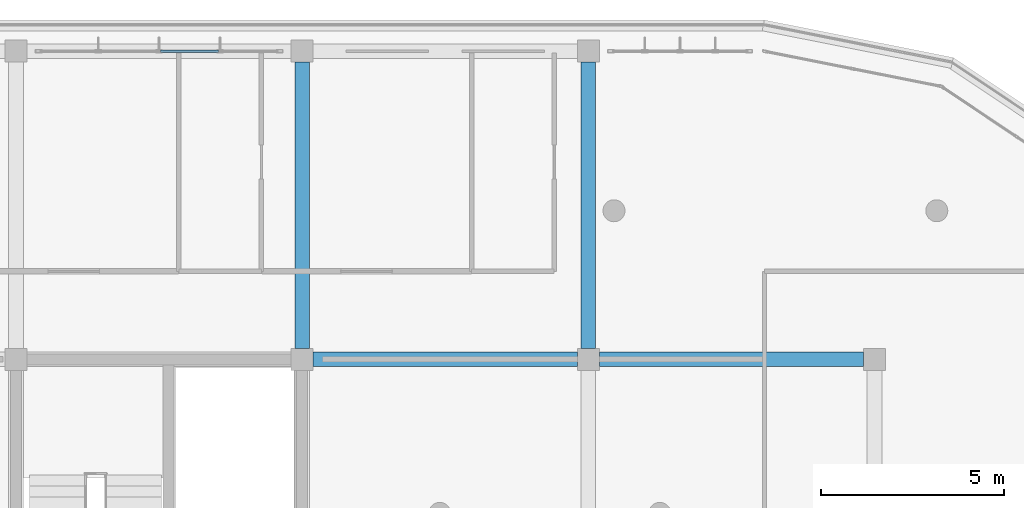
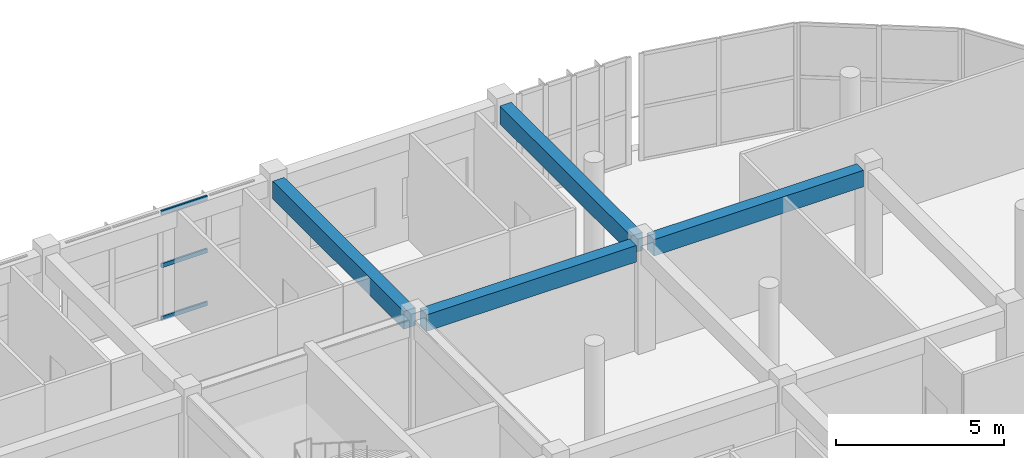
# One storey, part 28 of 56: 4 beams, 3 members, 1 element without a shape of its own.
"""IFC4 building model written with IfcOpenShell, lengths in metres."""

from ifc_helpers import new_model, si_unit, direction, frame, origin, origin_2d, place, context, subcontext, project, spatial, rectangle, hollow_rectangle, extrude, material, layer, layer_set, material_profile, profile_set, type_object, element, aggregate, save


model = new_model("IFC4")

# Units and contexts
model_context = context("Model", 3, precision=1e-05, world=origin(), true_north=direction((0.0, 1.0)))
body_context = subcontext(model_context, "Body", "Model", "MODEL_VIEW")
ifc_project = project(units=[si_unit("LENGTHUNIT", "METRE"), si_unit("AREAUNIT", "SQUARE_METRE"), si_unit("VOLUMEUNIT", "CUBIC_METRE"), si_unit("PLANEANGLEUNIT", "RADIAN"), si_unit("MASSUNIT", "GRAM", prefix="KILO")], contexts=[model_context])

# Site, building, storey
site_placement = place(None, origin())
site = spatial("IfcSite", under=ifc_project, at=site_placement, CompositionType="ELEMENT")
building_placement = place(site_placement, origin())
building = spatial("IfcBuilding", under=site, at=building_placement, Name="Zizhar Promenade General Hospital", CompositionType="ELEMENT")
storey_placement = place(building_placement, frame((0.0, 0.0, 26.39990234375)))
storey = spatial("IfcBuildingStorey", under=building, at=storey_placement, Name="L06", CompositionType="ELEMENT", Elevation=26.39990234375)

# Beams
ifc_material_1 = material(Name="Concrete C35/45", Category="concrete")
ifc_material_profile_1 = material_profile(ifc_material_1, rectangle(XDim=0.39990234375, YDim=0.60009765625, at=origin_2d()))
ifc_profile_set_1 = profile_set([ifc_material_profile_1], Name="Concrete C35/45")
beam_type_1 = type_object("IfcBeamType", Name="BM-RC-400x600", PredefinedType="JOIST", material=ifc_profile_set_1)
for number, where, z_axis, x_axis, name in (
    (1, (101.699951171875, 16.800048828125, 3.610107421875), (1.0, 0.0, 0.0), (0.0, 1.0, 0.0), "Grid Beam X L06 (13-2)"),
    (2, (109.5, 16.800048828125, 3.610107421875), (1.0, 0.0, 0.0), (0.0, 1.0, 0.0), "Grid Beam X L06 (14-2)"),
):
    element("IfcBeam", number, at=place(storey_placement, frame(where, z_axis=z_axis, x_axis=x_axis)), inside=storey, type_object=beam_type_1, Name=name, PredefinedType="JOIST", context=body_context, shape_type="SweptSolid", body=[
        extrude(rectangle(XDim=0.39990234375, YDim=0.60009765625, at=origin_2d()), origin(), (0.0, 0.0, 1.0), 7.199951171875),
    ])
ifc_material_2 = material(Name="Concrete C35/45", Category="concrete")
ifc_material_profile_2 = material_profile(ifc_material_2, rectangle(XDim=0.39990234375, YDim=0.64990234375, at=origin_2d()))
ifc_profile_set_2 = profile_set([ifc_material_profile_2], Name="Concrete C35/45")
beam_type_2 = type_object("IfcBeamType", Name="BM-RC-400x650", PredefinedType="BEAM", material=ifc_profile_set_2)
for number, where, z_axis, x_axis, name in (
    (3, (101.39990234375, 17.10009765625, 3.585205078125), (0.0, 1.0, 0.0), (-1.0, 0.0, 0.0), "Grid Beam Y L06 (13-2)"),
    (4, (109.199951171875, 17.10009765625, 3.585205078125), (0.0, 1.0, 0.0), (-1.0, 0.0, 0.0), "Grid Beam Y L06 (14-2)"),
):
    element("IfcBeam", number, at=place(storey_placement, frame(where, z_axis=z_axis, x_axis=x_axis)), inside=storey, type_object=beam_type_2, Name=name, PredefinedType="BEAM", context=body_context, shape_type="SweptSolid", body=[
        extrude(rectangle(XDim=0.39990234375, YDim=0.64990234375, at=origin_2d()), origin(), (0.0, 0.0, 1.0), 7.7998046875),
    ])

# Curtain wall, members
ifc_material_3 = material(Name="Anodised aluminium 6063-T6 and low-E glass", Category="aluminium")
ifc_layer = layer(ifc_material_3, 0.159912109375)
ifc_layer_set = layer_set([ifc_layer], Name="Anodised aluminium 6063-T6 and low-E glass")
curtain_wall_type = type_object("IfcCurtainWallType", Name="CW-WARD-RIB", PredefinedType="NOTDEFINED", material=ifc_layer_set)
curtain_wall_placement = place(storey_placement, origin())
curtain_wall = element("IfcCurtainWall", 5, at=curtain_wall_placement, inside=storey, type_object=curtain_wall_type, Name="Ward Ribbon Curtain Wall L06-8-8", PredefinedType="NOTDEFINED")
ifc_material_4 = material(Name="Anodised aluminium 6063-T6", Category="aluminium")
ifc_material_profile_3 = material_profile(ifc_material_4, hollow_rectangle(XDim=0.06005859375, YDim=0.14990234375, WallThickness=0.00390625, at=origin_2d()))
ifc_profile_set_3 = profile_set([ifc_material_profile_3], Name="Anodised aluminium 6063-T6")
member_type = type_object("IfcMemberType", Name="CWT-ALU-150x60", PredefinedType="USERDEFINED", material=ifc_profile_set_3)
member_1_placement = place(storey_placement, frame((97.5400390625, 25.199951171875, 0.030029296875), z_axis=(1.0, 0.0, 0.0), x_axis=(0.0, 1.0, 0.0)))
member_1 = element("IfcMember", 6, at=member_1_placement, type_object=member_type, Name="CW-13 transom 3.1", ObjectType="TRANSOM", PredefinedType="USERDEFINED", context=body_context, shape_type="SweptSolid", body=[
    extrude(hollow_rectangle(XDim=0.06005859375, YDim=0.14990234375, WallThickness=0.00390625, at=origin_2d()), origin(), (0.0, 0.0, 1.0), 1.580078125),
])
member_2_placement = place(storey_placement, frame((97.5400390625, 25.199951171875, 1.9501953125), z_axis=(1.0, 0.0, 0.0), x_axis=(0.0, 1.0, 0.0)))
member_2 = element("IfcMember", 7, at=member_2_placement, type_object=member_type, Name="CW-13 transom 3.2", ObjectType="TRANSOM", PredefinedType="USERDEFINED", context=body_context, shape_type="SweptSolid", body=[
    extrude(hollow_rectangle(XDim=0.06005859375, YDim=0.14990234375, WallThickness=0.00390625, at=origin_2d()), origin(), (0.0, 0.0, 1.0), 1.580078125),
])
member_3_placement = place(storey_placement, frame((97.5400390625, 25.199951171875, 3.8701171875), z_axis=(1.0, 0.0, 0.0), x_axis=(0.0, 1.0, 0.0)))
member_3 = element("IfcMember", 8, at=member_3_placement, type_object=member_type, Name="CW-13 transom 3.3", ObjectType="TRANSOM", PredefinedType="USERDEFINED", context=body_context, shape_type="SweptSolid", body=[
    extrude(hollow_rectangle(XDim=0.06005859375, YDim=0.14990234375, WallThickness=0.00390625, at=origin_2d()), origin(), (0.0, 0.0, 1.0), 1.580078125),
])
aggregate(curtain_wall, [member_1, member_2, member_3])

save(model, "model.ifc")
